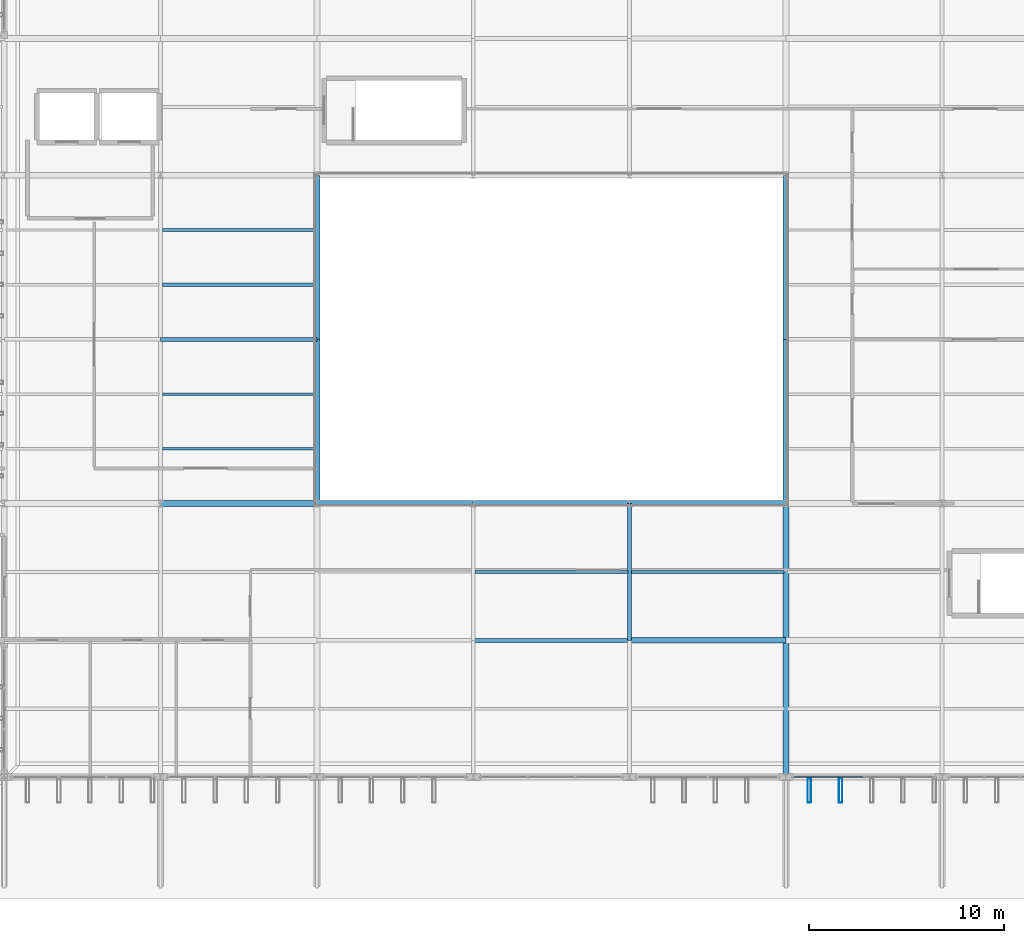
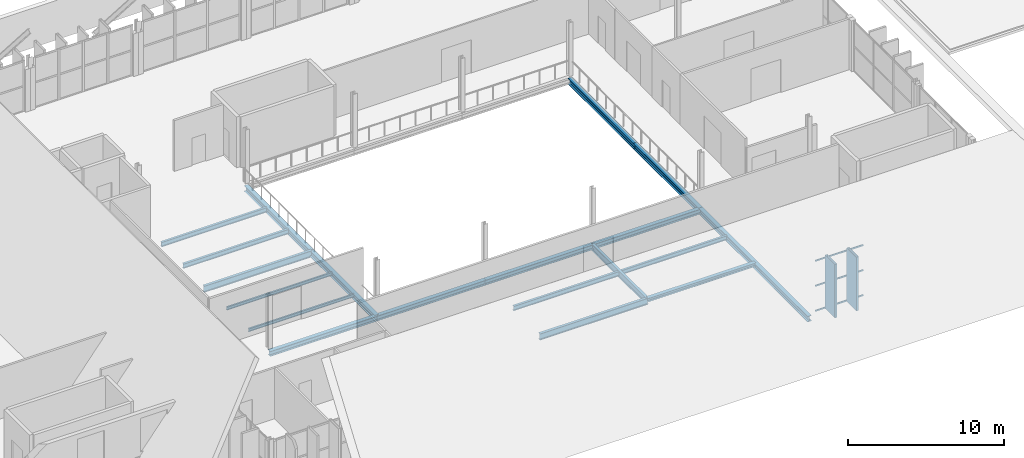
# One storey, part 34 of 93: 19 beams, 5 members, 1 element without a shape of its own.
"""IFC4 building model written with IfcOpenShell, lengths in metres."""

from ifc_helpers import new_model, si_unit, direction, frame, origin, origin_2d, place, context, subcontext, project, spatial, hollow_rectangle, i_section, extrude, material, layer, layer_set, material_profile, profile_set, type_object, element, aggregate, save


model = new_model("IFC4")

# Units and contexts
model_context = context("Model", 3, precision=1e-05, world=origin(), true_north=direction((0.0, 1.0)))
body_context = subcontext(model_context, "Body", "Model", "MODEL_VIEW")
ifc_project = project(units=[si_unit("LENGTHUNIT", "METRE"), si_unit("AREAUNIT", "SQUARE_METRE"), si_unit("VOLUMEUNIT", "CUBIC_METRE"), si_unit("PLANEANGLEUNIT", "RADIAN"), si_unit("MASSUNIT", "GRAM", prefix="KILO")], contexts=[model_context])

# Site, building, storey
site_placement = place(None, origin())
site = spatial("IfcSite", under=ifc_project, at=site_placement, CompositionType="ELEMENT")
building_placement = place(site_placement, origin())
building = spatial("IfcBuilding", under=site, at=building_placement, Name="Vekula Escarpment Museum", CompositionType="ELEMENT")
storey_placement = place(building_placement, frame((0.0, 0.0, 22.199951171875)))
storey = spatial("IfcBuildingStorey", under=building, at=storey_placement, Name="L05", CompositionType="ELEMENT", Elevation=22.199951171875)

# Beams
ifc_material_1 = material(Name="Steel S355", Category="steel")
ifc_material_profile_1 = material_profile(ifc_material_1, i_section(OverallWidth=0.280029296875, OverallDepth=0.280029296875, WebThickness=0.010498046875, FlangeThickness=0.01806640625, FilletRadius=0.02392578125, at=origin_2d()), Name="HEB 280")
ifc_profile_set_1 = profile_set([ifc_material_profile_1], Name="Steel S355")
beam_type_1 = type_object("IfcBeamType", Name="BM-GIRD-HEB280", PredefinedType="BEAM", material=ifc_profile_set_1)
beam_1_placement = place(storey_placement, frame((102.0, 52.60009765625, -0.35986328125), z_axis=(1.0, 0.0, 0.0), x_axis=(0.0, 1.0, 0.0)))
element("IfcBeam", 1, at=beam_1_placement, inside=storey, type_object=beam_type_1, Name="Beam X L05 1970", PredefinedType="BEAM", context=body_context, shape_type="SweptSolid", body=[
    extrude(i_section(OverallWidth=0.280029296875, OverallDepth=0.280029296875, WebThickness=0.010498046875, FlangeThickness=0.01806640625, FilletRadius=0.02392578125, at=origin_2d()), origin(), (0.0, 0.0, 1.0), 8.0),
])
ifc_material_2 = material(Name="Steel S355", Category="steel")
ifc_material_profile_2 = material_profile(ifc_material_2, i_section(OverallWidth=0.199951171875, OverallDepth=0.5, WebThickness=0.01025390625, FlangeThickness=0.01611328125, FilletRadius=0.02099609375, at=origin_2d()), Name="IPE 500")
ifc_profile_set_2 = profile_set([ifc_material_profile_2], Name="Steel S355")
beam_type_2 = type_object("IfcBeamType", Name="BM-GIRD-IPE500", PredefinedType="BEAM", material=ifc_profile_set_2)
for number, where, z_axis, x_axis, name in (
    (2, (94.0, 52.60009765625, -0.469970703125), (1.0, 0.0, 0.0), (0.0, 1.0, 0.0), "Beam X L05 1969"),
    (3, (78.0, 68.0, -0.469970703125), (1.0, 0.0, 0.0), (0.0, 1.0, 0.0), "Beam X L05 2000"),
):
    element("IfcBeam", number, at=place(storey_placement, frame(where, z_axis=z_axis, x_axis=x_axis)), inside=storey, type_object=beam_type_2, Name=name, PredefinedType="BEAM", context=body_context, shape_type="SweptSolid", body=[
        extrude(i_section(OverallWidth=0.199951171875, OverallDepth=0.5, WebThickness=0.01025390625, FlangeThickness=0.01611328125, FilletRadius=0.02099609375, at=origin_2d()), origin(), (0.0, 0.0, 1.0), 8.0),
    ])
beam_2_placement = place(storey_placement, frame((102.0, 52.60009765625, -0.469970703125), z_axis=(0.0, 1.0, 0.0), x_axis=(-1.0, 0.0, 0.0)))
element("IfcBeam", 4, at=beam_2_placement, inside=storey, type_object=beam_type_2, Name="Beam Y L05 2139", PredefinedType="BEAM", context=body_context, shape_type="SweptSolid", body=[
    extrude(i_section(OverallWidth=0.199951171875, OverallDepth=0.5, WebThickness=0.01025390625, FlangeThickness=0.01611328125, FilletRadius=0.02099609375, at=origin_2d()), origin(), (0.0, 0.0, 1.0), 7.0),
])
ifc_material_3 = material(Name="Steel S355", Category="steel")
ifc_material_profile_3 = material_profile(ifc_material_3, i_section(OverallWidth=0.1201171875, OverallDepth=0.239990234375, WebThickness=0.006103515625, FlangeThickness=0.009765625, FilletRadius=0.014892578125, at=origin_2d()), Name="IPE 240")
ifc_profile_set_3 = profile_set([ifc_material_profile_3], Name="Steel S355")
beam_type_3 = type_object("IfcBeamType", Name="BM-JST-IPE240", PredefinedType="JOIST", material=ifc_profile_set_3)
for number, where, z_axis, x_axis, name in (
    (5, (78.090087890625, 62.39990234375, -0.33984375), (1.0, 0.0, 0.0), (0.0, 1.0, 0.0), "Secondary Joist L05 1349"),
    (6, (78.090087890625, 65.199951171875, -0.33984375), (1.0, 0.0, 0.0), (0.0, 1.0, 0.0), "Secondary Joist L05 1350"),
):
    element("IfcBeam", number, at=place(storey_placement, frame(where, z_axis=z_axis, x_axis=x_axis)), inside=storey, type_object=beam_type_3, Name=name, PredefinedType="JOIST", context=body_context, shape_type="SweptSolid", body=[
        extrude(i_section(OverallWidth=0.1201171875, OverallDepth=0.239990234375, WebThickness=0.006103515625, FlangeThickness=0.009765625, FilletRadius=0.014892578125, at=origin_2d()), origin(), (0.0, 0.0, 1.0), 7.81982421875),
    ])
ifc_material_4 = material(Name="Steel S355", Category="steel")
ifc_material_profile_4 = material_profile(ifc_material_4, i_section(OverallWidth=0.159912109375, OverallDepth=0.330078125, WebThickness=0.007568359375, FlangeThickness=0.011474609375, FilletRadius=0.01806640625, at=origin_2d()), Name="IPE 330")
ifc_profile_set_4 = profile_set([ifc_material_profile_4], Name="Steel S355")
beam_type_4 = type_object("IfcBeamType", Name="BM-JST-IPE330", PredefinedType="JOIST", material=ifc_profile_set_4)
beam_3_placement = place(storey_placement, frame((102.090087890625, 56.10009765625, -0.385009765625), z_axis=(1.0, 0.0, 0.0), x_axis=(0.0, 1.0, 0.0)))
element("IfcBeam", 7, at=beam_3_placement, inside=storey, type_object=beam_type_4, Name="Secondary Joist L05 1363", PredefinedType="JOIST", context=body_context, shape_type="SweptSolid", body=[
    extrude(i_section(OverallWidth=0.159912109375, OverallDepth=0.330078125, WebThickness=0.007568359375, FlangeThickness=0.011474609375, FilletRadius=0.01806640625, at=origin_2d()), origin(), (0.0, 0.0, 1.0), 7.81982421875),
])
ifc_material_5 = material(Name="Steel S355", Category="steel")
ifc_material_profile_5 = material_profile(ifc_material_5, i_section(OverallWidth=0.169921875, OverallDepth=0.360107421875, WebThickness=0.008056640625, FlangeThickness=0.0126953125, FilletRadius=0.01806640625, at=origin_2d()), Name="IPE 360")
ifc_profile_set_5 = profile_set([ifc_material_profile_5], Name="Steel S355")
beam_type_5 = type_object("IfcBeamType", Name="BM-JST-IPE360", PredefinedType="JOIST", material=ifc_profile_set_5)
for number, where, z_axis, x_axis, name in (
    (8, (78.090087890625, 70.800048828125, -0.39990234375), (1.0, 0.0, 0.0), (0.0, 1.0, 0.0), "Secondary Joist L05 1351"),
    (9, (78.090087890625, 73.60009765625, -0.39990234375), (1.0, 0.0, 0.0), (0.0, 1.0, 0.0), "Secondary Joist L05 1352"),
    (10, (94.090087890625, 56.10009765625, -0.39990234375), (1.0, 0.0, 0.0), (0.0, 1.0, 0.0), "Secondary Joist L05 1359"),
):
    element("IfcBeam", number, at=place(storey_placement, frame(where, z_axis=z_axis, x_axis=x_axis)), inside=storey, type_object=beam_type_5, Name=name, PredefinedType="JOIST", context=body_context, shape_type="SweptSolid", body=[
        extrude(i_section(OverallWidth=0.169921875, OverallDepth=0.360107421875, WebThickness=0.008056640625, FlangeThickness=0.0126953125, FilletRadius=0.01806640625, at=origin_2d()), origin(), (0.0, 0.0, 1.0), 7.81982421875),
    ])
ifc_material_6 = material(Name="Steel S355", Category="steel")
ifc_material_profile_6 = material_profile(ifc_material_6, i_section(OverallWidth=0.300048828125, OverallDepth=0.389892578125, WebThickness=0.010986328125, FlangeThickness=0.01904296875, FilletRadius=0.027099609375, at=origin_2d()), Name="HEA 400")
ifc_profile_set_6 = profile_set([ifc_material_profile_6], Name="Steel S355")
beam_type_6 = type_object("IfcBeamType", Name="BM-SPAN-HEA400", PredefinedType="SPANDREL", material=ifc_profile_set_6)
for number, where, z_axis, x_axis, name in (
    (11, (78.0, 59.60009765625, -0.4150390625), (1.0, 0.0, 0.0), (0.0, 1.0, 0.0), "Beam X L05 1983"),
    (12, (86.0, 59.60009765625, -0.4150390625), (1.0, 0.0, 0.0), (0.0, 1.0, 0.0), "Beam X L05 1984"),
    (13, (94.0, 59.60009765625, -0.4150390625), (1.0, 0.0, 0.0), (0.0, 1.0, 0.0), "Beam X L05 1985"),
    (14, (102.0, 59.60009765625, -0.4150390625), (1.0, 0.0, 0.0), (0.0, 1.0, 0.0), "Beam X L05 1986"),
):
    element("IfcBeam", number, at=place(storey_placement, frame(where, z_axis=z_axis, x_axis=x_axis)), inside=storey, type_object=beam_type_6, Name=name, PredefinedType="SPANDREL", context=body_context, shape_type="SweptSolid", body=[
        extrude(i_section(OverallWidth=0.300048828125, OverallDepth=0.389892578125, WebThickness=0.010986328125, FlangeThickness=0.01904296875, FilletRadius=0.027099609375, at=origin_2d()), origin(), (0.0, 0.0, 1.0), 8.0),
    ])
ifc_material_7 = material(Name="Steel S355", Category="steel")
ifc_material_profile_7 = material_profile(ifc_material_7, i_section(OverallWidth=0.300048828125, OverallDepth=0.43994140625, WebThickness=0.011474609375, FlangeThickness=0.02099609375, FilletRadius=0.027099609375, at=origin_2d()), Name="HEA 450")
ifc_profile_set_7 = profile_set([ifc_material_profile_7], Name="Steel S355")
beam_type_7 = type_object("IfcBeamType", Name="BM-SPAN-HEA450", PredefinedType="SPANDREL", material=ifc_profile_set_7)
for number, where, z_axis, x_axis, name in (
    (15, (86.0, 59.60009765625, -0.43994140625), (0.0, 1.0, 0.0), (-1.0, 0.0, 0.0), "Beam Y L05 2131"),
    (16, (86.0, 68.0, -0.43994140625), (0.0, 1.0, 0.0), (-1.0, 0.0, 0.0), "Beam Y L05 2132"),
):
    element("IfcBeam", number, at=place(storey_placement, frame(where, z_axis=z_axis, x_axis=x_axis)), inside=storey, type_object=beam_type_7, Name=name, PredefinedType="SPANDREL", context=body_context, shape_type="SweptSolid", body=[
        extrude(i_section(OverallWidth=0.300048828125, OverallDepth=0.43994140625, WebThickness=0.011474609375, FlangeThickness=0.02099609375, FilletRadius=0.027099609375, at=origin_2d()), origin(), (0.0, 0.0, 1.0), 8.39990234375),
    ])
beam_4_placement = place(storey_placement, frame((110.0, 45.60009765625, -0.43994140625), z_axis=(0.0, 1.0, 0.0), x_axis=(-1.0, 0.0, 0.0)))
element("IfcBeam", 17, at=beam_4_placement, inside=storey, type_object=beam_type_7, Name="Beam Y L05 2142", PredefinedType="SPANDREL", context=body_context, shape_type="SweptSolid", body=[
    extrude(i_section(OverallWidth=0.300048828125, OverallDepth=0.43994140625, WebThickness=0.011474609375, FlangeThickness=0.02099609375, FilletRadius=0.027099609375, at=origin_2d()), origin(), (0.0, 0.0, 1.0), 14.0),
])
for number, where, z_axis, x_axis, name in (
    (18, (110.0, 59.60009765625, -0.43994140625), (0.0, 1.0, 0.0), (-1.0, 0.0, 0.0), "Beam Y L05 2143"),
    (19, (110.0, 68.0, -0.43994140625), (0.0, 1.0, 0.0), (-1.0, 0.0, 0.0), "Beam Y L05 2144"),
):
    element("IfcBeam", number, at=place(storey_placement, frame(where, z_axis=z_axis, x_axis=x_axis)), inside=storey, type_object=beam_type_7, Name=name, PredefinedType="SPANDREL", context=body_context, shape_type="SweptSolid", body=[
        extrude(i_section(OverallWidth=0.300048828125, OverallDepth=0.43994140625, WebThickness=0.011474609375, FlangeThickness=0.02099609375, FilletRadius=0.027099609375, at=origin_2d()), origin(), (0.0, 0.0, 1.0), 8.39990234375),
    ])

# Curtain wall, members
ifc_material_8 = material(Name="Aluminium thermally broken framing", Category="aluminium")
ifc_layer = layer(ifc_material_8, 0.179931640625)
ifc_layer_set = layer_set([ifc_layer], Name="Aluminium thermally broken framing")
curtain_wall_type = type_object("IfcCurtainWallType", Name="CW-SYS-08", PredefinedType="NOTDEFINED", material=ifc_layer_set)
curtain_wall_placement = place(storey_placement, origin())
curtain_wall = element("IfcCurtainWall", 20, at=curtain_wall_placement, inside=storey, type_object=curtain_wall_type, Name="Curtain Wall CW-L05-168", PredefinedType="NOTDEFINED")
ifc_material_9 = material(Name="Aluminium anodized transom", Category="aluminium")
ifc_material_profile_8 = material_profile(ifc_material_9, hollow_rectangle(XDim=0.06005859375, YDim=0.1201171875, WallThickness=0.00390625, InnerFilletRadius=0.00390625, OuterFilletRadius=0.008056640625, at=origin_2d()), Name="ALU 120x60x4")
ifc_profile_set_8 = profile_set([ifc_material_profile_8], Name="Aluminium anodized transom")
member_type_1 = type_object("IfcMemberType", Name="CW-TRN-120", PredefinedType="USERDEFINED", material=ifc_profile_set_8)
member_1_placement = place(storey_placement, frame((110.419921875, 45.60009765625, 0.030029296875), z_axis=(1.0, 0.0, 0.0), x_axis=(0.0, 1.0, 0.0)))
member_1 = element("IfcMember", 21, at=member_1_placement, type_object=member_type_1, Name="CW-08 transom 1.1", ObjectType="TRANSOM", PredefinedType="USERDEFINED", context=body_context, shape_type="SweptSolid", body=[
    extrude(hollow_rectangle(XDim=0.06005859375, YDim=0.1201171875, WallThickness=0.00390625, InnerFilletRadius=0.00390625, OuterFilletRadius=0.008056640625, at=origin_2d()), origin(), (0.0, 0.0, 1.0), 3.550048828125),
])
member_2_placement = place(storey_placement, frame((110.419921875, 45.60009765625, 1.989990234375), z_axis=(1.0, 0.0, 0.0), x_axis=(0.0, 1.0, 0.0)))
member_2 = element("IfcMember", 22, at=member_2_placement, type_object=member_type_1, Name="CW-08 transom 1.2", ObjectType="TRANSOM", PredefinedType="USERDEFINED", context=body_context, shape_type="SweptSolid", body=[
    extrude(hollow_rectangle(XDim=0.06005859375, YDim=0.1201171875, WallThickness=0.00390625, InnerFilletRadius=0.00390625, OuterFilletRadius=0.008056640625, at=origin_2d()), origin(), (0.0, 0.0, 1.0), 3.550048828125),
])
member_3_placement = place(storey_placement, frame((110.419921875, 45.60009765625, 3.949951171875), z_axis=(1.0, 0.0, 0.0), x_axis=(0.0, 1.0, 0.0)))
member_3 = element("IfcMember", 23, at=member_3_placement, type_object=member_type_1, Name="CW-08 transom 1.3", ObjectType="TRANSOM", PredefinedType="USERDEFINED", context=body_context, shape_type="SweptSolid", body=[
    extrude(hollow_rectangle(XDim=0.06005859375, YDim=0.1201171875, WallThickness=0.00390625, InnerFilletRadius=0.00390625, OuterFilletRadius=0.008056640625, at=origin_2d()), origin(), (0.0, 0.0, 1.0), 3.550048828125),
])
aggregate(curtain_wall, [member_1, member_2, member_3])

# Members
ifc_material_10 = material(Name="Steel S355 weathered bronze solar fin", Category="steel")
ifc_material_profile_9 = material_profile(ifc_material_10, hollow_rectangle(XDim=0.179931640625, YDim=1.25, WallThickness=0.010009765625, InnerFilletRadius=0.010009765625, OuterFilletRadius=0.02001953125, at=origin_2d()), Name="RHS 1250x180x10")
ifc_profile_set_9 = profile_set([ifc_material_profile_9], Name="Steel S355 weathered bronze solar fin")
member_type_2 = type_object("IfcMemberType", Name="MB-SOLAR-FIN", PredefinedType="USERDEFINED", material=ifc_profile_set_9)
for number, where, z_axis, x_axis, name in (
    (24, (111.199951171875, 44.919921875, 0.0), (0.0, 0.0, 1.0), (1.0, 0.0, 0.0), "Great Hall Vertical Solar Fin 0090"),
    (25, (112.800048828125, 44.919921875, 0.0), (0.0, 0.0, 1.0), (1.0, 0.0, 0.0), "Great Hall Vertical Solar Fin 0095"),
):
    element("IfcMember", number, at=place(storey_placement, frame(where, z_axis=z_axis, x_axis=x_axis)), inside=storey, type_object=member_type_2, Name=name, ObjectType="SOLAR FIN", PredefinedType="USERDEFINED", context=body_context, shape_type="SweptSolid", body=[
        extrude(hollow_rectangle(XDim=0.179931640625, YDim=1.25, WallThickness=0.010009765625, InnerFilletRadius=0.010009765625, OuterFilletRadius=0.02001953125, at=origin_2d()), origin(), (0.0, 0.0, 1.0), 4.199951171875),
    ])

save(model, "model.ifc")
